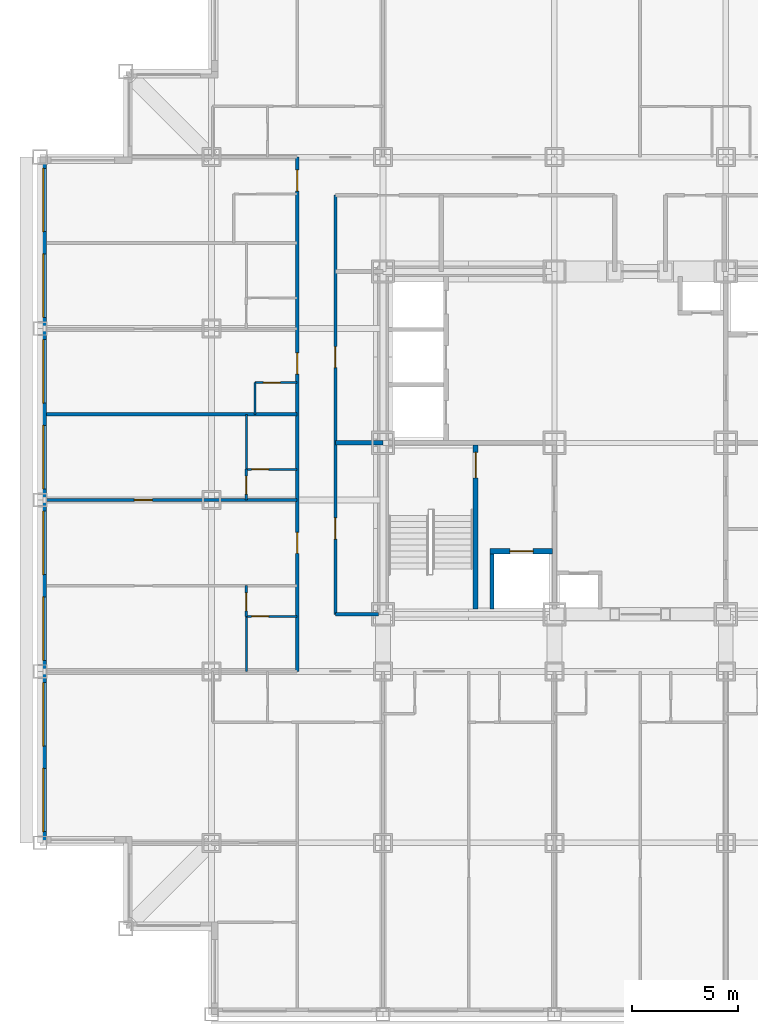
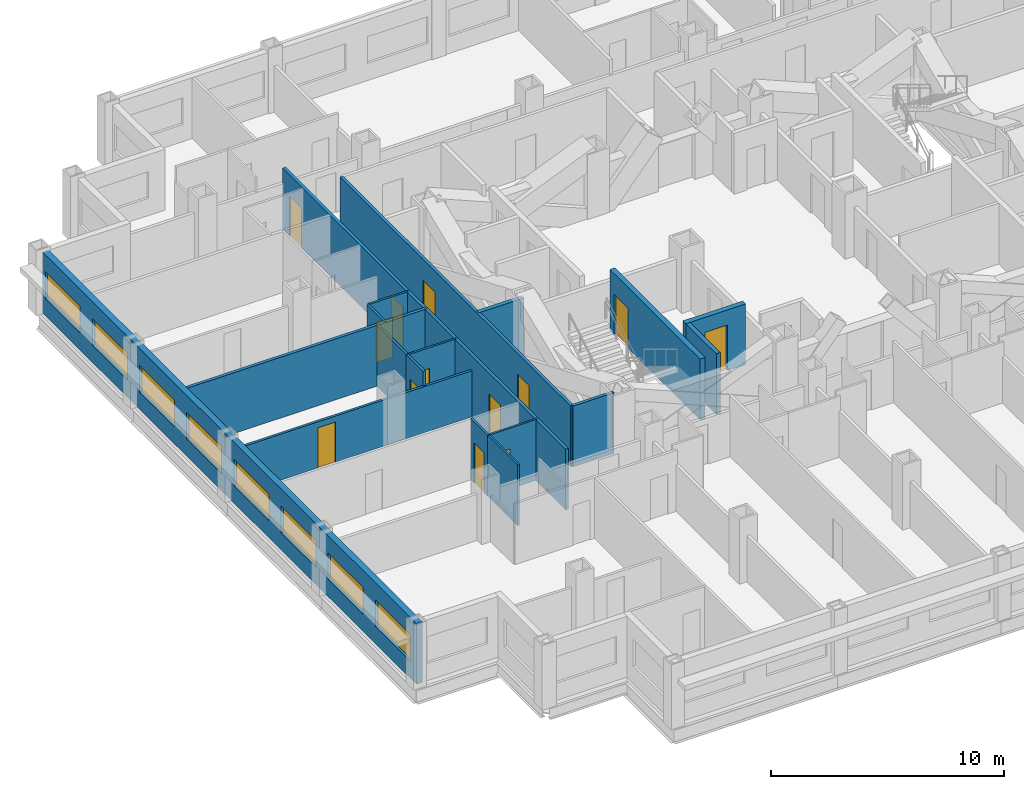
# One storey, part 5 of 12: 18 walls, 13 doors, 8 windows, 21 openings.
"""IFC4 building model written with IfcOpenShell, lengths in metres."""

import ifcopenshell
import ifcopenshell.guid

model = None  # the IFC model being written
_history = None  # IfcOwnerHistory: only IFC2X3 demands one
_inside = {}  # id of a spatial element -> (the spatial element, [elements in it])
_under = {}  # id of a project, library or spatial element -> (it, [spatial elements below it])
_declared = {}  # id of a project -> (the project, [libraries it declares])
_typed = {}  # id of a type object -> (the type object, [elements of that type])
_made_of = {}  # id of a material, layer set ... -> (it, [elements and type objects made of it])


def new_model(schema):
    """Start an empty IFC model of exactly this schema.

    Asked for "IFC4X3", IfcOpenShell would pick the latest addendum, in which some entities
    have other attributes; the version numbers below select the first issue.
    IFC2X3 requires an IfcOwnerHistory on every rooted entity: one is made here for all.
    """
    global model, _history
    if schema == "IFC4X3":
        model = ifcopenshell.file(schema_version=(4, 3, 0, 0))
    else:
        model = ifcopenshell.file(schema=schema)
    _inside.clear()
    _under.clear()
    _declared.clear()
    _typed.clear()
    _made_of.clear()
    _history = None
    if model.schema == "IFC2X3":
        org = make("IfcOrganization", Name="unknown")
        user = make(
            "IfcPersonAndOrganization",
            ThePerson=make("IfcPerson", FamilyName="unknown"),
            TheOrganization=org,
        )
        app = make(
            "IfcApplication",
            ApplicationDeveloper=org,
            Version="unknown",
            ApplicationFullName="unknown",
            ApplicationIdentifier="unknown",
        )
        _history = make(
            "IfcOwnerHistory",
            OwningUser=user,
            OwningApplication=app,
            ChangeAction="ADDED",
            CreationDate=0,
        )
    return model


def make(cls, **values):
    """One entity of the class cls with the attributes given. An attribute that is None is left unset."""
    return model.create_entity(
        cls, **{name: value for name, value in values.items() if value is not None}
    )


def rooted(cls, **values):
    """An entity with a GlobalId (a new one), such as an element, a storey or a relation."""
    return make(cls, GlobalId=ifcopenshell.guid.new(), OwnerHistory=_history, **values)


def si_unit(unit_type, name, prefix=None):
    """IfcSIUnit, for example si_unit("LENGTHUNIT", "METRE", prefix="MILLI")."""
    return make("IfcSIUnit", UnitType=unit_type, Prefix=prefix, Name=name)


def assignment(units):
    """IfcUnitAssignment: the units of a project."""
    return None if units is None else make("IfcUnitAssignment", Units=units)


def point(xyz):
    """IfcCartesianPoint."""
    return None if xyz is None else make("IfcCartesianPoint", Coordinates=xyz)


def direction(xyz):
    """IfcDirection."""
    return None if xyz is None else make("IfcDirection", DirectionRatios=xyz)


def frame(location, z_axis=None, x_axis=None):
    """IfcAxis2Placement3D, a coordinate frame: its origin and axes. An axis left out is left unset."""
    return make(
        "IfcAxis2Placement3D",
        Location=point(location),
        Axis=direction(z_axis),
        RefDirection=direction(x_axis),
    )


def frame_2d(location, x_axis=None):
    """IfcAxis2Placement2D, a coordinate frame in the plane: its origin and x axis."""
    return make(
        "IfcAxis2Placement2D", Location=point(location), RefDirection=direction(x_axis)
    )


def origin():
    """The frame at (0, 0, 0) with its axes left unset."""
    return frame((0.0, 0.0, 0.0))


def place(relative_to, where):
    """IfcLocalPlacement: puts the frame where relative to a parent placement (None: the world)."""
    return make(
        "IfcLocalPlacement", PlacementRelTo=relative_to, RelativePlacement=where
    )


def context(
    kind, dimensions, precision=None, world=None, true_north=None, identifier=None
):
    """IfcGeometricRepresentationContext, for example the 3D "Model" context."""
    return make(
        "IfcGeometricRepresentationContext",
        ContextIdentifier=identifier,
        ContextType=kind,
        CoordinateSpaceDimension=dimensions,
        Precision=precision,
        WorldCoordinateSystem=world,
        TrueNorth=true_north,
    )


def subcontext(parent, identifier, kind, view, scale=None):
    """IfcGeometricRepresentationSubContext, for example "Body" below "Model"."""
    return make(
        "IfcGeometricRepresentationSubContext",
        ContextIdentifier=identifier,
        ContextType=kind,
        ParentContext=parent,
        TargetScale=scale,
        TargetView=view,
    )


def project(units=None, contexts=None):
    """IfcProject with its units and contexts."""
    return rooted(
        "IfcProject",
        Name="project",
        RepresentationContexts=contexts,
        UnitsInContext=assignment(units),
    )


def spatial(cls, under=None, at=None, **own):
    """A site, building, storey or space (cls), placed at a placement, below another one or the project."""
    s = rooted(cls, ObjectPlacement=at, **own)
    if under is not None:
        _under.setdefault(under.id(), (under, []))[1].append(s)
    return s


def profile(cls, at=None, kind="AREA", **sizes):
    """A parametric profile (cls). Its sizes go by their IFC names, for example OverallWidth=200.0."""
    return make(cls, ProfileType=kind, Position=at, **sizes)


def rectangle(**sizes):
    """IfcRectangleProfileDef."""
    return profile("IfcRectangleProfileDef", **sizes)


def extrude(swept, where, along, depth):
    """IfcExtrudedAreaSolid: the profile swept, set in the frame where, extruded along a direction by depth."""
    return make(
        "IfcExtrudedAreaSolid",
        SweptArea=swept,
        Position=where,
        ExtrudedDirection=direction(along),
        Depth=depth,
    )


def shape(context_of_items, identifier, shape_type, items):
    """IfcShapeRepresentation: the items that make up one representation, for example the "Body"."""
    return make(
        "IfcShapeRepresentation",
        ContextOfItems=context_of_items,
        RepresentationIdentifier=identifier,
        RepresentationType=shape_type,
        Items=items,
    )


def material(Name=None, Category=None):
    """IfcMaterial."""
    return make("IfcMaterial", Name=Name, Category=Category)


def layer(
    of_material, thickness, ventilated=None, Name=None, Category=None, Priority=None
):
    """IfcMaterialLayer: one layer of a wall or slab, of a material (None: an air gap)."""
    return make(
        "IfcMaterialLayer",
        Material=of_material,
        LayerThickness=thickness,
        IsVentilated=ventilated,
        Name=Name,
        Category=Category,
        Priority=Priority,
    )


def layer_set(layers, Name=None):
    """IfcMaterialLayerSet."""
    return make("IfcMaterialLayerSet", MaterialLayers=layers, LayerSetName=Name)


def made_of(thing, what):
    """Note that an element or type object is made of a material, layer set ...; save() writes the relation."""
    if what is not None:
        _made_of.setdefault(what.id(), (what, []))[1].append(thing)
    return thing


def type_object(cls, material=None, **own):
    """A type object (cls), such as IfcWallType, which elements share."""
    return made_of(rooted(cls, **own), material)


def element(
    cls,
    number,
    at=None,
    inside=None,
    cuts=None,
    type_object=None,
    material=None,
    context=None,
    identifier="Body",
    shape_type=None,
    held_by="IfcProductDefinitionShape",
    body=None,
    shapes=None,
    **own,
):
    """One element of the class cls, such as IfcWall. Its Tag is "e" and its number.

    at: its placement. inside: the storey or other place that contains it. cuts: it is an
    opening in that element (IfcRelVoidsElement). A single representation is given by context,
    identifier, shape_type and body (its items); several are given by shapes. held_by: the class
    of the entity that holds the representations. save() writes the other relations.
    """
    e = rooted(cls, Tag="e%d" % number, ObjectPlacement=at, **own)
    if body is not None:
        shapes = [shape(context, identifier, shape_type, body)]
    if shapes is not None:
        e.Representation = make(held_by, Representations=shapes)
    if inside is not None:
        _inside.setdefault(inside.id(), (inside, []))[1].append(e)
    if cuts is not None:
        rooted(
            "IfcRelVoidsElement", RelatingBuildingElement=cuts, RelatedOpeningElement=e
        )
    if type_object is not None:
        _typed.setdefault(type_object.id(), (type_object, []))[1].append(e)
    return made_of(e, material)


def fill(opening, filler):
    """IfcRelFillsElement: the door or window that sits in an opening."""
    return rooted(
        "IfcRelFillsElement",
        RelatingOpeningElement=opening,
        RelatedBuildingElement=filler,
    )


def aggregate(whole, parts):
    """IfcRelAggregates: a whole, such as a stair, and the parts it consists of."""
    return rooted("IfcRelAggregates", RelatingObject=whole, RelatedObjects=parts)


def save(model, path):
    """Write the relations noted so far, then the file.

    IfcRelAggregates (storeys below a building ...), IfcRelContainedInSpatialStructure (elements
    in a storey), IfcRelDefinesByType, IfcRelAssociatesMaterial and IfcRelDeclares: one each for
    every whole, place, type object, material and project.
    """
    for whole, parts in _under.values():
        aggregate(whole, parts)
    for where, things in _inside.values():
        rooted(
            "IfcRelContainedInSpatialStructure",
            RelatedElements=things,
            RelatingStructure=where,
        )
    for kind, things in _typed.values():
        rooted("IfcRelDefinesByType", RelatedObjects=things, RelatingType=kind)
    for what, things in _made_of.values():
        rooted("IfcRelAssociatesMaterial", RelatedObjects=things, RelatingMaterial=what)
    for by, libraries in _declared.values():
        rooted("IfcRelDeclares", RelatingContext=by, RelatedDefinitions=libraries)
    model.write(path)


model = new_model("IFC4")

# Units and contexts
model_context = context("Model", 3, precision=1e-05, world=origin(), true_north=direction((0.0, 1.0)))
body_context = subcontext(model_context, "Body", "Model", "MODEL_VIEW")
ifc_project = project(units=[si_unit("LENGTHUNIT", "METRE"), si_unit("AREAUNIT", "SQUARE_METRE"), si_unit("VOLUMEUNIT", "CUBIC_METRE"), si_unit("PLANEANGLEUNIT", "RADIAN"), si_unit("MASSUNIT", "GRAM", prefix="KILO")], contexts=[model_context])

# Site, building, storey
site_placement = place(None, origin())
site = spatial("IfcSite", under=ifc_project, at=site_placement, CompositionType="ELEMENT")
building_placement = place(site_placement, origin())
building = spatial("IfcBuilding", under=site, at=building_placement, Name="Kopane Lantern Tower", CompositionType="ELEMENT")
storey_placement = place(building_placement, frame((0.0, 0.0, 147.60009765625)))
storey = spatial("IfcBuildingStorey", under=building, at=storey_placement, Name="L38", CompositionType="ELEMENT", Elevation=147.60009765625)

# Wall, opening, door
ifc_material_1 = material(Name="Gypsum board on steel studs", Category="steel")
ifc_layer_1 = layer(ifc_material_1, 0.1201171875)
ifc_layer_set_1 = layer_set([ifc_layer_1], Name="APARTMENT INTERNAL WALL 120")
wall_type_1 = type_object("IfcWallType", Name="APARTMENT INTERNAL WALL 120", PredefinedType="PARTITIONING", material=ifc_layer_set_1)
wall_1_placement = place(storey_placement, frame((12.14990234375, 29.699951171875, 0.0), z_axis=(0.0, 0.0, 1.0), x_axis=(-1.0, 0.0, 0.0)))
wall_1 = element("IfcWall", 1, at=wall_1_placement, inside=storey, type_object=wall_type_1, Name="Apartment Internal Wall 120 L38", PredefinedType="PARTITIONING", context=body_context, shape_type="SweptSolid", body=[
    extrude(rectangle(XDim=11.849853515625, YDim=0.1201171875, at=frame_2d((5.9248046875, 0.0))), origin(), (0.0, 0.0, 1.0), 2.420166015625),
])
opening_1_placement = place(wall_1_placement, frame((6.85009765625, 0.0, 0.0)))
opening_1 = element("IfcOpeningElement", 2, at=opening_1_placement, cuts=wall_1, Name="Opening L38-038", PredefinedType="OPENING", context=body_context, shape_type="SweptSolid", body=[
    extrude(rectangle(XDim=0.85009765625, YDim=2.10009765625, at=frame_2d((0.425048828125, 1.050048828125))), frame((0.0, 0.070068359375, 0.0), z_axis=(0.0, -1.0, 0.0), x_axis=(1.0, 0.0, 0.0)), (0.0, 0.0, 1.0), 0.14013671875),
])
ifc_material_2 = material(Name="Timber door set", Category="wood")
door_type_1 = type_object("IfcDoorType", Name="DOOR D4 850x2100", OperationType="SINGLE_SWING_LEFT", PredefinedType="DOOR", material=ifc_material_2)
door_1_placement = place(opening_1_placement, origin())
door_1 = element("IfcDoor", 3, at=door_1_placement, inside=storey, type_object=door_type_1, Name="Door L38-038", OperationType="SINGLE_SWING_RIGHT", OverallHeight=2.10009765625, OverallWidth=0.85009765625, PredefinedType="DOOR", context=body_context, shape_type="SweptSolid", body=[
    extrude(rectangle(XDim=0.85009765625, YDim=2.10009765625, at=frame_2d((0.425048828125, 1.050048828125))), frame((0.0, 0.02490234375, 0.0), z_axis=(0.0, -1.0, 0.0), x_axis=(1.0, 0.0, 0.0)), (0.0, 0.0, 1.0), 0.050048828125),
])
fill(opening_1, door_1)

wall_2_placement = place(storey_placement, frame((9.75, 24.18994140625, 0.0), z_axis=(0.0, 0.0, 1.0), x_axis=(0.0, 1.0, 0.0)))
wall_2 = element("IfcWall", 4, at=wall_2_placement, inside=storey, type_object=wall_type_1, Name="Apartment Internal Wall 120 L38", PredefinedType="PARTITIONING", context=body_context, shape_type="SweptSolid", body=[
    extrude(rectangle(XDim=1.4599609375, YDim=0.1201171875, at=frame_2d((0.72998046875, 0.0))), origin(), (0.0, 0.0, 1.0), 3.18994140625),
])
opening_2_placement = place(wall_2_placement, frame((0.27490234375, 0.0, 0.0)))
opening_2 = element("IfcOpeningElement", 5, at=opening_2_placement, cuts=wall_2, Name="Opening L38-076", PredefinedType="OPENING", context=body_context, shape_type="SweptSolid", body=[
    extrude(rectangle(XDim=0.85009765625, YDim=2.10009765625, at=frame_2d((0.425048828125, 1.050048828125))), frame((0.0, 0.070068359375, 0.0), z_axis=(0.0, -1.0, 0.0), x_axis=(1.0, 0.0, 0.0)), (0.0, 0.0, 1.0), 0.14013671875),
])
door_2_placement = place(opening_2_placement, origin())
door_2 = element("IfcDoor", 6, at=door_2_placement, inside=storey, type_object=door_type_1, Name="Door L38-076", OperationType="SINGLE_SWING_RIGHT", OverallHeight=2.10009765625, OverallWidth=0.85009765625, PredefinedType="DOOR", context=body_context, shape_type="SweptSolid", body=[
    extrude(rectangle(XDim=0.85009765625, YDim=2.10009765625, at=frame_2d((0.425048828125, 1.050048828125))), frame((0.0, 0.02490234375, 0.0), z_axis=(0.0, -1.0, 0.0), x_axis=(1.0, 0.0, 0.0)), (0.0, 0.0, 1.0), 0.050048828125),
])
fill(opening_2, door_2)

wall_3_placement = place(storey_placement, frame((9.75, 29.699951171875, 0.0), z_axis=(0.0, 0.0, 1.0), x_axis=(0.0, 1.0, 0.0)))
wall_3 = element("IfcWall", 7, at=wall_3_placement, inside=storey, type_object=wall_type_1, Name="Apartment Internal Wall 120 L38", PredefinedType="PARTITIONING", context=body_context, shape_type="SweptSolid", body=[
    extrude(rectangle(XDim=1.4599609375, YDim=0.1201171875, at=frame_2d((0.72998046875, 0.0))), origin(), (0.0, 0.0, 1.0), 3.18994140625),
])
opening_3_placement = place(wall_3_placement, frame((0.27490234375, 0.0, 0.0)))
opening_3 = element("IfcOpeningElement", 8, at=opening_3_placement, cuts=wall_3, Name="Opening L38-077", PredefinedType="OPENING", context=body_context, shape_type="SweptSolid", body=[
    extrude(rectangle(XDim=0.85009765625, YDim=2.10009765625, at=frame_2d((0.425048828125, 1.050048828125))), frame((0.0, 0.070068359375, 0.0), z_axis=(0.0, -1.0, 0.0), x_axis=(1.0, 0.0, 0.0)), (0.0, 0.0, 1.0), 0.14013671875),
])
door_3_placement = place(opening_3_placement, origin())
door_3 = element("IfcDoor", 9, at=door_3_placement, inside=storey, type_object=door_type_1, Name="Door L38-077", OperationType="SINGLE_SWING_LEFT", OverallHeight=2.10009765625, OverallWidth=0.85009765625, PredefinedType="DOOR", context=body_context, shape_type="SweptSolid", body=[
    extrude(rectangle(XDim=0.85009765625, YDim=2.10009765625, at=frame_2d((0.425048828125, 1.050048828125))), frame((0.0, 0.02490234375, 0.0), z_axis=(0.0, -1.0, 0.0), x_axis=(1.0, 0.0, 0.0)), (0.0, 0.0, 1.0), 0.050048828125),
])
fill(opening_3, door_3)

# Wall
ifc_material_3 = material(Name="Moisture-resistant board on steel studs", Category="steel")
ifc_layer_2 = layer(ifc_material_3, 0.10009765625)
ifc_layer_set_2 = layer_set([ifc_layer_2], Name="BATHROOM WALL 100")
wall_type_2 = type_object("IfcWallType", Name="BATHROOM WALL 100", PredefinedType="PARTITIONING", material=ifc_layer_set_2)
wall_4_placement = place(storey_placement, frame((9.75, 21.60009765625, 0.0), z_axis=(0.0, 0.0, 1.0), x_axis=(0.0, 1.0, 0.0)))
element("IfcWall", 10, at=wall_4_placement, inside=storey, type_object=wall_type_2, Name="Bathroom Wall 100 L38", PredefinedType="PARTITIONING", context=body_context, shape_type="SweptSolid", body=[
    extrude(rectangle(XDim=2.599853515625, YDim=0.10009765625, at=frame_2d((1.2998046875, 0.0))), origin(), (0.0, 0.0, 1.0), 3.18994140625),
])

# Wall, opening, door
wall_5_placement = place(storey_placement, frame((12.14990234375, 24.199951171875, 0.0), z_axis=(0.0, 0.0, 1.0), x_axis=(-1.0, 0.0, 0.0)))
wall_5 = element("IfcWall", 11, at=wall_5_placement, inside=storey, type_object=wall_type_2, Name="Bathroom Wall 100 L38", PredefinedType="PARTITIONING", context=body_context, shape_type="SweptSolid", body=[
    extrude(rectangle(XDim=2.39990234375, YDim=0.10009765625, at=frame_2d((1.199951171875, 0.0))), origin(), (0.0, 0.0, 1.0), 3.18994140625),
])
opening_4_placement = place(wall_5_placement, frame((1.35009765625, 0.0, 0.0)))
opening_4 = element("IfcOpeningElement", 12, at=opening_4_placement, cuts=wall_5, Name="Opening L38-035", PredefinedType="OPENING", context=body_context, shape_type="SweptSolid", body=[
    extrude(rectangle(XDim=0.800048828125, YDim=2.10009765625, at=frame_2d((0.39990234375, 1.050048828125))), frame((0.0, 0.06005859375, 0.0), z_axis=(0.0, -1.0, 0.0), x_axis=(1.0, 0.0, 0.0)), (0.0, 0.0, 1.0), 0.1201171875),
])
ifc_material_4 = material(Name="Timber door set", Category="wood")
door_type_2 = type_object("IfcDoorType", Name="DOOR D2 800x2100", OperationType="SINGLE_SWING_LEFT", PredefinedType="DOOR", material=ifc_material_4)
door_4_placement = place(opening_4_placement, origin())
door_4 = element("IfcDoor", 13, at=door_4_placement, inside=storey, type_object=door_type_2, Name="Door L38-035", OperationType="SINGLE_SWING_LEFT", OverallHeight=2.10009765625, OverallWidth=0.800048828125, PredefinedType="DOOR", context=body_context, shape_type="SweptSolid", body=[
    extrude(rectangle(XDim=0.800048828125, YDim=2.10009765625, at=frame_2d((0.39990234375, 1.050048828125))), frame((0.0, 0.02490234375, 0.0), z_axis=(0.0, -1.0, 0.0), x_axis=(1.0, 0.0, 0.0)), (0.0, 0.0, 1.0), 0.050048828125),
])
fill(opening_4, door_4)

# Wall
wall_6_placement = place(storey_placement, frame((9.75, 31.14990234375, 0.0), z_axis=(0.0, 0.0, 1.0), x_axis=(0.0, 1.0, 0.0)))
element("IfcWall", 14, at=wall_6_placement, inside=storey, type_object=wall_type_2, Name="Bathroom Wall 100 L38", PredefinedType="PARTITIONING", context=body_context, shape_type="SweptSolid", body=[
    extrude(rectangle(XDim=2.60009765625, YDim=0.10009765625, at=frame_2d((1.300048828125, 0.0))), origin(), (0.0, 0.0, 1.0), 3.18994140625),
])

# Wall, opening, door
wall_7_placement = place(storey_placement, frame((12.14990234375, 31.14990234375, 0.0), z_axis=(0.0, 0.0, 1.0), x_axis=(-1.0, 0.0, 0.0)))
wall_7 = element("IfcWall", 15, at=wall_7_placement, inside=storey, type_object=wall_type_2, Name="Bathroom Wall 100 L38", PredefinedType="PARTITIONING", context=body_context, shape_type="SweptSolid", body=[
    extrude(rectangle(XDim=2.39990234375, YDim=0.10009765625, at=frame_2d((1.199951171875, 0.0))), origin(), (0.0, 0.0, 1.0), 3.18994140625),
])
opening_5_placement = place(wall_7_placement, frame((1.35009765625, 0.0, 0.0)))
opening_5 = element("IfcOpeningElement", 16, at=opening_5_placement, cuts=wall_7, Name="Opening L38-037", PredefinedType="OPENING", context=body_context, shape_type="SweptSolid", body=[
    extrude(rectangle(XDim=0.800048828125, YDim=2.10009765625, at=frame_2d((0.39990234375, 1.050048828125))), frame((0.0, 0.06005859375, 0.0), z_axis=(0.0, -1.0, 0.0), x_axis=(1.0, 0.0, 0.0)), (0.0, 0.0, 1.0), 0.1201171875),
])
door_5_placement = place(opening_5_placement, origin())
door_5 = element("IfcDoor", 17, at=door_5_placement, inside=storey, type_object=door_type_2, Name="Door L38-037", OperationType="SINGLE_SWING_RIGHT", OverallHeight=2.10009765625, OverallWidth=0.800048828125, PredefinedType="DOOR", context=body_context, shape_type="SweptSolid", body=[
    extrude(rectangle(XDim=0.800048828125, YDim=2.10009765625, at=frame_2d((0.39990234375, 1.050048828125))), frame((0.0, 0.02490234375, 0.0), z_axis=(0.0, -1.0, 0.0), x_axis=(1.0, 0.0, 0.0)), (0.0, 0.0, 1.0), 0.050048828125),
])
fill(opening_5, door_5)

# Wall
wall_8_placement = place(storey_placement, frame((10.14990234375, 33.75, 0.0), z_axis=(0.0, 0.0, 1.0), x_axis=(0.0, 1.0, 0.0)))
element("IfcWall", 18, at=wall_8_placement, inside=storey, type_object=wall_type_2, Name="Bathroom Wall 100 L38", PredefinedType="PARTITIONING", context=body_context, shape_type="SweptSolid", body=[
    extrude(rectangle(XDim=1.5, YDim=0.10009765625, at=frame_2d((0.75, 0.0))), origin(), (0.0, 0.0, 1.0), 3.18994140625),
])

# Wall, opening, door
wall_9_placement = place(storey_placement, frame((12.14990234375, 35.25, 0.0), z_axis=(0.0, 0.0, 1.0), x_axis=(-1.0, 0.0, 0.0)))
wall_9 = element("IfcWall", 19, at=wall_9_placement, inside=storey, type_object=wall_type_2, Name="Bathroom Wall 100 L38", PredefinedType="PARTITIONING", context=body_context, shape_type="SweptSolid", body=[
    extrude(rectangle(XDim=2.0, YDim=0.10009765625, at=frame_2d((1.0, 0.0))), origin(), (0.0, 0.0, 1.0), 3.18994140625),
])
opening_6_placement = place(wall_9_placement, frame((0.800048828125, 0.0, 0.0)))
opening_6 = element("IfcOpeningElement", 20, at=opening_6_placement, cuts=wall_9, Name="Opening L38-039", PredefinedType="OPENING", context=body_context, shape_type="SweptSolid", body=[
    extrude(rectangle(XDim=0.800048828125, YDim=2.10009765625, at=frame_2d((0.39990234375, 1.050048828125))), frame((0.0, 0.06005859375, 0.0), z_axis=(0.0, -1.0, 0.0), x_axis=(1.0, 0.0, 0.0)), (0.0, 0.0, 1.0), 0.1201171875),
])
door_6_placement = place(opening_6_placement, origin())
door_6 = element("IfcDoor", 21, at=door_6_placement, inside=storey, type_object=door_type_2, Name="Door L38-039", OperationType="SINGLE_SWING_RIGHT", OverallHeight=2.10009765625, OverallWidth=0.800048828125, PredefinedType="DOOR", context=body_context, shape_type="SweptSolid", body=[
    extrude(rectangle(XDim=0.800048828125, YDim=2.10009765625, at=frame_2d((0.39990234375, 1.050048828125))), frame((0.0, 0.02490234375, 0.0), z_axis=(0.0, -1.0, 0.0), x_axis=(1.0, 0.0, 0.0)), (0.0, 0.0, 1.0), 0.050048828125),
])
fill(opening_6, door_6)

ifc_material_5 = material(Name="Gypsum shaft wall EI 120", Category="gypsum")
ifc_layer_3 = layer(ifc_material_5, 0.25)
ifc_layer_set_3 = layer_set([ifc_layer_3], Name="CORE SHAFT WALL 250 EI 120")
wall_type_3 = type_object("IfcWallType", Name="CORE SHAFT WALL 250 EI 120", PredefinedType="SOLIDWALL", material=ifc_layer_set_3)
wall_10_placement = place(storey_placement, frame((20.574951171875, 24.550048828125, 0.0), z_axis=(0.0, 0.0, 1.0), x_axis=(0.0, 1.0, 0.0)))
wall_10 = element("IfcWall", 22, at=wall_10_placement, inside=storey, type_object=wall_type_3, Name="Core shaft wall L38 XST1", PredefinedType="SOLIDWALL", context=body_context, shape_type="SweptSolid", body=[
    extrude(rectangle(XDim=7.75, YDim=0.25, at=frame_2d((3.875, 0.0))), origin(), (0.0, 0.0, 1.0), 3.18994140625),
])
opening_7_placement = place(wall_10_placement, frame((6.199951171875, 0.0, 0.0)))
opening_7 = element("IfcOpeningElement", 23, at=opening_7_placement, cuts=wall_10, Name="Opening 38.SD1", PredefinedType="OPENING", context=body_context, shape_type="SweptSolid", body=[
    extrude(rectangle(XDim=1.199951171875, YDim=2.10009765625, at=frame_2d((0.60009765625, 1.050048828125))), frame((0.0, 0.135009765625, 0.0), z_axis=(0.0, -1.0, 0.0), x_axis=(1.0, 0.0, 0.0)), (0.0, 0.0, 1.0), 0.27001953125),
])
ifc_material_6 = material(Name="Steel door set", Category="steel")
door_type_3 = type_object("IfcDoorType", Name="STAIR DOOR 1200x2100 FD60S", OperationType="SINGLE_SWING_LEFT", PredefinedType="DOOR", material=ifc_material_6)
door_7_placement = place(opening_7_placement, origin())
door_7 = element("IfcDoor", 24, at=door_7_placement, inside=storey, type_object=door_type_3, Name="Stair door ST1 L38", OperationType="SINGLE_SWING_LEFT", OverallHeight=2.10009765625, OverallWidth=1.199951171875, PredefinedType="DOOR", context=body_context, shape_type="SweptSolid", body=[
    extrude(rectangle(XDim=1.199951171875, YDim=2.10009765625, at=frame_2d((0.60009765625, 1.050048828125))), frame((0.0, 0.02490234375, 0.0), z_axis=(0.0, -1.0, 0.0), x_axis=(1.0, 0.0, 0.0)), (0.0, 0.0, 1.0), 0.050048828125),
])
fill(opening_7, door_7)

wall_11_placement = place(storey_placement, frame((21.25, 27.27490234375, 0.0), z_axis=(0.0, 0.0, 1.0), x_axis=(1.0, 0.0, 0.0)))
wall_11 = element("IfcWall", 25, at=wall_11_placement, inside=storey, type_object=wall_type_3, Name="Core shaft wall L38 YLF1", PredefinedType="SOLIDWALL", context=body_context, shape_type="SweptSolid", body=[
    extrude(rectangle(XDim=2.949951171875, YDim=0.25, at=frame_2d((1.47509765625, 0.0))), origin(), (0.0, 0.0, 1.0), 3.18994140625),
])
opening_8_placement = place(wall_11_placement, frame((0.949951171875, 0.0, 0.0)))
opening_8 = element("IfcOpeningElement", 26, at=opening_8_placement, cuts=wall_11, Name="Opening 38.LD-LF1", PredefinedType="OPENING", context=body_context, shape_type="SweptSolid", body=[
    extrude(rectangle(XDim=1.10009765625, YDim=2.39990234375, at=frame_2d((0.550048828125, 1.199951171875))), frame((0.0, 0.135009765625, 0.0), z_axis=(0.0, -1.0, 0.0), x_axis=(1.0, 0.0, 0.0)), (0.0, 0.0, 1.0), 0.27001953125),
])
ifc_material_7 = material(Name="Steel door set", Category="steel")
door_type_4 = type_object("IfcDoorType", Name="LIFT LANDING DOOR 1100x2400 FD60", OperationType="DOUBLE_DOOR_SLIDING", PredefinedType="DOOR", material=ifc_material_7)
door_8_placement = place(opening_8_placement, origin())
door_8 = element("IfcDoor", 27, at=door_8_placement, inside=storey, type_object=door_type_4, Name="Landing door LF1 L38", OperationType="DOUBLE_DOOR_SLIDING", OverallHeight=2.39990234375, OverallWidth=1.10009765625, PredefinedType="DOOR", context=body_context, shape_type="SweptSolid", body=[
    extrude(rectangle(XDim=1.10009765625, YDim=2.39990234375, at=frame_2d((0.550048828125, 1.199951171875))), frame((0.0, 0.02490234375, 0.0), z_axis=(0.0, -1.0, 0.0), x_axis=(1.0, 0.0, 0.0)), (0.0, 0.0, 1.0), 0.050048828125),
])
fill(opening_8, door_8)

# Wall, openings, doors
ifc_material_8 = material(Name="Gypsum board on steel studs", Category="steel")
ifc_layer_4 = layer(ifc_material_8, 0.14990234375)
ifc_layer_set_4 = layer_set([ifc_layer_4], Name="CORRIDOR WALL 150 EI 60")
wall_type_4 = type_object("IfcWallType", Name="CORRIDOR WALL 150 EI 60", PredefinedType="PARTITIONING", material=ifc_layer_set_4)
wall_12_placement = place(storey_placement, frame((12.14990234375, 21.60009765625, 0.0), z_axis=(0.0, 0.0, 1.0), x_axis=(0.0, 1.0, 0.0)))
wall_12 = element("IfcWall", 28, at=wall_12_placement, inside=storey, type_object=wall_type_4, Name="Corridor Wall 150 Ei 60 L38", PredefinedType="PARTITIONING", context=body_context, shape_type="SweptSolid", body=[
    extrude(rectangle(XDim=24.2998046875, YDim=0.14990234375, at=frame_2d((12.14990234375, 0.0))), origin(), (0.0, 0.0, 1.0), 3.18994140625),
])
opening_9_placement = place(wall_12_placement, frame((5.574951171875, 0.0, 0.0)))
opening_9 = element("IfcOpeningElement", 29, at=opening_9_placement, cuts=wall_12, Name="Opening L38-034", PredefinedType="OPENING", context=body_context, shape_type="SweptSolid", body=[
    extrude(rectangle(XDim=1.0, YDim=2.10009765625, at=frame_2d((0.5, 1.050048828125))), frame((0.0, 0.0849609375, 0.0), z_axis=(0.0, -1.0, 0.0), x_axis=(1.0, 0.0, 0.0)), (0.0, 0.0, 1.0), 0.169921875),
])
opening_10_placement = place(wall_12_placement, frame((14.050048828125, 0.0, 0.0)))
opening_10 = element("IfcOpeningElement", 30, at=opening_10_placement, cuts=wall_12, Name="Opening L38-040", PredefinedType="OPENING", context=body_context, shape_type="SweptSolid", body=[
    extrude(rectangle(XDim=1.0, YDim=2.10009765625, at=frame_2d((0.5, 1.050048828125))), frame((0.0, 0.0849609375, 0.0), z_axis=(0.0, -1.0, 0.0), x_axis=(1.0, 0.0, 0.0)), (0.0, 0.0, 1.0), 0.169921875),
])
opening_11_placement = place(wall_12_placement, frame((22.699951171875, 0.0, 0.0)))
opening_11 = element("IfcOpeningElement", 31, at=opening_11_placement, cuts=wall_12, Name="Opening L38-044", PredefinedType="OPENING", context=body_context, shape_type="SweptSolid", body=[
    extrude(rectangle(XDim=1.0, YDim=2.10009765625, at=frame_2d((0.5, 1.050048828125))), frame((0.0, 0.0849609375, 0.0), z_axis=(0.0, -1.0, 0.0), x_axis=(1.0, 0.0, 0.0)), (0.0, 0.0, 1.0), 0.169921875),
])
ifc_material_9 = material(Name="Steel door set", Category="steel")
door_type_5 = type_object("IfcDoorType", Name="DOOR D1 1000x2100 FD30S", OperationType="SINGLE_SWING_LEFT", PredefinedType="DOOR", material=ifc_material_9)
door_9_placement = place(opening_9_placement, origin())
door_9 = element("IfcDoor", 32, at=door_9_placement, inside=storey, type_object=door_type_5, Name="Door L38-034", OperationType="SINGLE_SWING_LEFT", OverallHeight=2.10009765625, OverallWidth=1.0, PredefinedType="DOOR", context=body_context, shape_type="SweptSolid", body=[
    extrude(rectangle(XDim=1.0, YDim=2.10009765625, at=frame_2d((0.5, 1.050048828125))), frame((0.0, 0.02490234375, 0.0), z_axis=(0.0, -1.0, 0.0), x_axis=(1.0, 0.0, 0.0)), (0.0, 0.0, 1.0), 0.050048828125),
])
fill(opening_9, door_9)
door_10_placement = place(opening_10_placement, origin())
door_10 = element("IfcDoor", 33, at=door_10_placement, inside=storey, type_object=door_type_5, Name="Door L38-040", OperationType="SINGLE_SWING_LEFT", OverallHeight=2.10009765625, OverallWidth=1.0, PredefinedType="DOOR", context=body_context, shape_type="SweptSolid", body=[
    extrude(rectangle(XDim=1.0, YDim=2.10009765625, at=frame_2d((0.5, 1.050048828125))), frame((0.0, 0.02490234375, 0.0), z_axis=(0.0, -1.0, 0.0), x_axis=(1.0, 0.0, 0.0)), (0.0, 0.0, 1.0), 0.050048828125),
])
fill(opening_10, door_10)
door_11_placement = place(opening_11_placement, origin())
door_11 = element("IfcDoor", 34, at=door_11_placement, inside=storey, type_object=door_type_5, Name="Door L38-044", OperationType="SINGLE_SWING_LEFT", OverallHeight=2.10009765625, OverallWidth=1.0, PredefinedType="DOOR", context=body_context, shape_type="SweptSolid", body=[
    extrude(rectangle(XDim=1.0, YDim=2.10009765625, at=frame_2d((0.5, 1.050048828125))), frame((0.0, 0.02490234375, 0.0), z_axis=(0.0, -1.0, 0.0), x_axis=(1.0, 0.0, 0.0)), (0.0, 0.0, 1.0), 0.050048828125),
])
fill(opening_11, door_11)

wall_13_placement = place(storey_placement, frame((13.949951171875, 44.10009765625, 0.0), z_axis=(0.0, 0.0, 1.0), x_axis=(0.0, -1.0, 0.0)))
wall_13 = element("IfcWall", 35, at=wall_13_placement, inside=storey, type_object=wall_type_4, Name="Corridor Wall 150 Ei 60 L38", PredefinedType="PARTITIONING", context=body_context, shape_type="SweptSolid", body=[
    extrude(rectangle(XDim=19.800048828125, YDim=0.14990234375, at=frame_2d((9.89990234375, 0.0))), origin(), (0.0, 0.0, 1.0), 3.18994140625),
])
opening_12_placement = place(wall_13_placement, frame((15.25, 0.0, 0.0)))
opening_12 = element("IfcOpeningElement", 36, at=opening_12_placement, cuts=wall_13, Name="Opening L38-001", PredefinedType="OPENING", context=body_context, shape_type="SweptSolid", body=[
    extrude(rectangle(XDim=1.0, YDim=2.10009765625, at=frame_2d((0.5, 1.050048828125))), frame((0.0, 0.0849609375, 0.0), z_axis=(0.0, -1.0, 0.0), x_axis=(1.0, 0.0, 0.0)), (0.0, 0.0, 1.0), 0.169921875),
])
opening_13_placement = place(wall_13_placement, frame((7.14990234375, 0.0, 0.0)))
opening_13 = element("IfcOpeningElement", 37, at=opening_13_placement, cuts=wall_13, Name="Opening L38-002", PredefinedType="OPENING", context=body_context, shape_type="SweptSolid", body=[
    extrude(rectangle(XDim=1.0, YDim=2.10009765625, at=frame_2d((0.5, 1.050048828125))), frame((0.0, 0.0849609375, 0.0), z_axis=(0.0, -1.0, 0.0), x_axis=(1.0, 0.0, 0.0)), (0.0, 0.0, 1.0), 0.169921875),
])
ifc_material_10 = material(Name="Steel door set", Category="steel")
door_type_6 = type_object("IfcDoorType", Name="DOOR D5 1000x2100 FD60", OperationType="SINGLE_SWING_LEFT", PredefinedType="DOOR", material=ifc_material_10)
door_12_placement = place(opening_12_placement, origin())
door_12 = element("IfcDoor", 38, at=door_12_placement, inside=storey, type_object=door_type_6, Name="Door L38-001", OperationType="SINGLE_SWING_RIGHT", OverallHeight=2.10009765625, OverallWidth=1.0, PredefinedType="DOOR", context=body_context, shape_type="SweptSolid", body=[
    extrude(rectangle(XDim=1.0, YDim=2.10009765625, at=frame_2d((0.5, 1.050048828125))), frame((0.0, 0.02490234375, 0.0), z_axis=(0.0, -1.0, 0.0), x_axis=(1.0, 0.0, 0.0)), (0.0, 0.0, 1.0), 0.050048828125),
])
fill(opening_12, door_12)
door_13_placement = place(opening_13_placement, origin())
door_13 = element("IfcDoor", 39, at=door_13_placement, inside=storey, type_object=door_type_6, Name="Door L38-002", OperationType="SINGLE_SWING_LEFT", OverallHeight=2.10009765625, OverallWidth=1.0, PredefinedType="DOOR", context=body_context, shape_type="SweptSolid", body=[
    extrude(rectangle(XDim=1.0, YDim=2.10009765625, at=frame_2d((0.5, 1.050048828125))), frame((0.0, 0.02490234375, 0.0), z_axis=(0.0, -1.0, 0.0), x_axis=(1.0, 0.0, 0.0)), (0.0, 0.0, 1.0), 0.050048828125),
])
fill(opening_13, door_13)

# Walls
wall_14_placement = place(storey_placement, frame((13.949951171875, 24.300048828125, 0.0), z_axis=(0.0, 0.0, 1.0), x_axis=(1.0, 0.0, 0.0)))
element("IfcWall", 40, at=wall_14_placement, inside=storey, type_object=wall_type_4, Name="Corridor Wall 150 Ei 60 L38", PredefinedType="PARTITIONING", context=body_context, shape_type="SweptSolid", body=[
    extrude(rectangle(XDim=2.050048828125, YDim=0.14990234375, at=frame_2d((1.02490234375, 0.0))), origin(), (0.0, 0.0, 1.0), 3.18994140625),
])
ifc_material_11 = material(Name="Gypsum board on steel studs", Category="steel")
ifc_layer_5 = layer(ifc_material_11, 0.14990234375)
ifc_layer_set_5 = layer_set([ifc_layer_5], Name="DEMISING WALL 150 EI 60")
wall_type_5 = type_object("IfcWallType", Name="DEMISING WALL 150 EI 60", PredefinedType="PARTITIONING", material=ifc_layer_set_5)
wall_15_placement = place(storey_placement, frame((12.14990234375, 33.75, 0.0), z_axis=(0.0, 0.0, 1.0), x_axis=(-1.0, 0.0, 0.0)))
element("IfcWall", 41, at=wall_15_placement, inside=storey, type_object=wall_type_5, Name="Demising Wall 150 Ei 60 L38", PredefinedType="PARTITIONING", context=body_context, shape_type="SweptSolid", body=[
    extrude(rectangle(XDim=11.849853515625, YDim=0.14990234375, at=frame_2d((5.9248046875, 0.0))), origin(), (0.0, 0.0, 1.0), 3.18994140625),
])

# Wall, openings, windows
ifc_material_12 = material(Name="Terracotta rainscreen on light steel framing", Category="masonry")
ifc_layer_6 = layer(ifc_material_12, 0.300048828125)
ifc_layer_set_6 = layer_set([ifc_layer_6], Name="EXTERNAL WALL EW1 300 TERRACOTTA")
wall_type_6 = type_object("IfcWallType", Name="EXTERNAL WALL EW1 300 TERRACOTTA", PredefinedType="SOLIDWALL", material=ifc_layer_set_6)
wall_16_placement = place(storey_placement, frame((0.14990234375, 45.60009765625, 0.0), z_axis=(0.0, 0.0, 1.0), x_axis=(0.0, -1.0, 0.0)))
wall_16 = element("IfcWall", 42, at=wall_16_placement, inside=storey, type_object=wall_type_6, Name="External wall W L38", PredefinedType="SOLIDWALL", context=body_context, shape_type="SweptSolid", body=[
    extrude(rectangle(XDim=32.10009765625, YDim=0.300048828125, at=frame_2d((16.050048828125, 0.0))), origin(), (0.0, 0.0, 1.0), 3.18994140625),
])
opening_14_placement = place(wall_16_placement, frame((0.22509765625, 0.0, 0.89990234375)))
opening_14 = element("IfcOpeningElement", 43, at=opening_14_placement, cuts=wall_16, Name="Opening WR300140", PredefinedType="OPENING", context=body_context, shape_type="SweptSolid", body=[
    extrude(rectangle(XDim=3.0, YDim=1.39990234375, at=frame_2d((1.5, 0.699951171875))), frame((0.0, 0.159912109375, 0.0), z_axis=(0.0, -1.0, 0.0), x_axis=(1.0, 0.0, 0.0)), (0.0, 0.0, 1.0), 0.320068359375),
])
opening_15_placement = place(wall_16_placement, frame((4.27490234375, 0.0, 0.89990234375)))
opening_15 = element("IfcOpeningElement", 44, at=opening_15_placement, cuts=wall_16, Name="Opening WR300140", PredefinedType="OPENING", context=body_context, shape_type="SweptSolid", body=[
    extrude(rectangle(XDim=3.0, YDim=1.39990234375, at=frame_2d((1.5, 0.699951171875))), frame((0.0, 0.159912109375, 0.0), z_axis=(0.0, -1.0, 0.0), x_axis=(1.0, 0.0, 0.0)), (0.0, 0.0, 1.0), 0.320068359375),
])
opening_16_placement = place(wall_16_placement, frame((8.324951171875, 0.0, 0.89990234375)))
opening_16 = element("IfcOpeningElement", 45, at=opening_16_placement, cuts=wall_16, Name="Opening WR300140", PredefinedType="OPENING", context=body_context, shape_type="SweptSolid", body=[
    extrude(rectangle(XDim=3.0, YDim=1.39990234375, at=frame_2d((1.5, 0.699951171875))), frame((0.0, 0.159912109375, 0.0), z_axis=(0.0, -1.0, 0.0), x_axis=(1.0, 0.0, 0.0)), (0.0, 0.0, 1.0), 0.320068359375),
])
opening_17_placement = place(wall_16_placement, frame((12.375, 0.0, 0.89990234375)))
opening_17 = element("IfcOpeningElement", 46, at=opening_17_placement, cuts=wall_16, Name="Opening WR300140", PredefinedType="OPENING", context=body_context, shape_type="SweptSolid", body=[
    extrude(rectangle(XDim=3.0, YDim=1.39990234375, at=frame_2d((1.5, 0.699951171875))), frame((0.0, 0.159912109375, 0.0), z_axis=(0.0, -1.0, 0.0), x_axis=(1.0, 0.0, 0.0)), (0.0, 0.0, 1.0), 0.320068359375),
])
opening_18_placement = place(wall_16_placement, frame((16.425048828125, 0.0, 0.89990234375)))
opening_18 = element("IfcOpeningElement", 47, at=opening_18_placement, cuts=wall_16, Name="Opening WR300140", PredefinedType="OPENING", context=body_context, shape_type="SweptSolid", body=[
    extrude(rectangle(XDim=3.0, YDim=1.39990234375, at=frame_2d((1.5, 0.699951171875))), frame((0.0, 0.159912109375, 0.0), z_axis=(0.0, -1.0, 0.0), x_axis=(1.0, 0.0, 0.0)), (0.0, 0.0, 1.0), 0.320068359375),
])
opening_19_placement = place(wall_16_placement, frame((20.47509765625, 0.0, 0.89990234375)))
opening_19 = element("IfcOpeningElement", 48, at=opening_19_placement, cuts=wall_16, Name="Opening WR300140", PredefinedType="OPENING", context=body_context, shape_type="SweptSolid", body=[
    extrude(rectangle(XDim=3.0, YDim=1.39990234375, at=frame_2d((1.5, 0.699951171875))), frame((0.0, 0.159912109375, 0.0), z_axis=(0.0, -1.0, 0.0), x_axis=(1.0, 0.0, 0.0)), (0.0, 0.0, 1.0), 0.320068359375),
])
opening_20_placement = place(wall_16_placement, frame((24.52490234375, 0.0, 0.89990234375)))
opening_20 = element("IfcOpeningElement", 49, at=opening_20_placement, cuts=wall_16, Name="Opening WR300140", PredefinedType="OPENING", context=body_context, shape_type="SweptSolid", body=[
    extrude(rectangle(XDim=3.0, YDim=1.39990234375, at=frame_2d((1.5, 0.699951171875))), frame((0.0, 0.159912109375, 0.0), z_axis=(0.0, -1.0, 0.0), x_axis=(1.0, 0.0, 0.0)), (0.0, 0.0, 1.0), 0.320068359375),
])
opening_21_placement = place(wall_16_placement, frame((28.574951171875, 0.0, 0.89990234375)))
opening_21 = element("IfcOpeningElement", 50, at=opening_21_placement, cuts=wall_16, Name="Opening WR300140", PredefinedType="OPENING", context=body_context, shape_type="SweptSolid", body=[
    extrude(rectangle(XDim=3.0, YDim=1.39990234375, at=frame_2d((1.5, 0.699951171875))), frame((0.0, 0.159912109375, 0.0), z_axis=(0.0, -1.0, 0.0), x_axis=(1.0, 0.0, 0.0)), (0.0, 0.0, 1.0), 0.320068359375),
])
ifc_material_13 = material(Name="Aluminium and clear glass", Category="aluminium")
window_type = type_object("IfcWindowType", Name="RIBBON WINDOW WR300140 3000x1400", PartitioningType="SINGLE_PANEL", PredefinedType="WINDOW", material=ifc_material_13)
window_1_placement = place(opening_14_placement, origin())
window_1 = element("IfcWindow", 51, at=window_1_placement, inside=storey, type_object=window_type, Name="Window W L38", OverallHeight=1.39990234375, OverallWidth=3.0, PartitioningType="SINGLE_PANEL", PredefinedType="WINDOW", context=body_context, shape_type="SweptSolid", body=[
    extrude(rectangle(XDim=3.0, YDim=1.39990234375, at=frame_2d((1.5, 0.699951171875))), frame((0.0, 0.030029296875, 0.0), z_axis=(0.0, -1.0, 0.0), x_axis=(1.0, 0.0, 0.0)), (0.0, 0.0, 1.0), 0.06005859375),
])
fill(opening_14, window_1)
window_2_placement = place(opening_15_placement, origin())
window_2 = element("IfcWindow", 52, at=window_2_placement, inside=storey, type_object=window_type, Name="Window W L38", OverallHeight=1.39990234375, OverallWidth=3.0, PartitioningType="SINGLE_PANEL", PredefinedType="WINDOW", context=body_context, shape_type="SweptSolid", body=[
    extrude(rectangle(XDim=3.0, YDim=1.39990234375, at=frame_2d((1.5, 0.699951171875))), frame((0.0, 0.030029296875, 0.0), z_axis=(0.0, -1.0, 0.0), x_axis=(1.0, 0.0, 0.0)), (0.0, 0.0, 1.0), 0.06005859375),
])
fill(opening_15, window_2)
window_3_placement = place(opening_16_placement, origin())
window_3 = element("IfcWindow", 53, at=window_3_placement, inside=storey, type_object=window_type, Name="Window W L38", OverallHeight=1.39990234375, OverallWidth=3.0, PartitioningType="SINGLE_PANEL", PredefinedType="WINDOW", context=body_context, shape_type="SweptSolid", body=[
    extrude(rectangle(XDim=3.0, YDim=1.39990234375, at=frame_2d((1.5, 0.699951171875))), frame((0.0, 0.030029296875, 0.0), z_axis=(0.0, -1.0, 0.0), x_axis=(1.0, 0.0, 0.0)), (0.0, 0.0, 1.0), 0.06005859375),
])
fill(opening_16, window_3)
window_4_placement = place(opening_17_placement, origin())
window_4 = element("IfcWindow", 54, at=window_4_placement, inside=storey, type_object=window_type, Name="Window W L38", OverallHeight=1.39990234375, OverallWidth=3.0, PartitioningType="SINGLE_PANEL", PredefinedType="WINDOW", context=body_context, shape_type="SweptSolid", body=[
    extrude(rectangle(XDim=3.0, YDim=1.39990234375, at=frame_2d((1.5, 0.699951171875))), frame((0.0, 0.030029296875, 0.0), z_axis=(0.0, -1.0, 0.0), x_axis=(1.0, 0.0, 0.0)), (0.0, 0.0, 1.0), 0.06005859375),
])
fill(opening_17, window_4)
window_5_placement = place(opening_18_placement, origin())
window_5 = element("IfcWindow", 55, at=window_5_placement, inside=storey, type_object=window_type, Name="Window W L38", OverallHeight=1.39990234375, OverallWidth=3.0, PartitioningType="SINGLE_PANEL", PredefinedType="WINDOW", context=body_context, shape_type="SweptSolid", body=[
    extrude(rectangle(XDim=3.0, YDim=1.39990234375, at=frame_2d((1.5, 0.699951171875))), frame((0.0, 0.030029296875, 0.0), z_axis=(0.0, -1.0, 0.0), x_axis=(1.0, 0.0, 0.0)), (0.0, 0.0, 1.0), 0.06005859375),
])
fill(opening_18, window_5)
window_6_placement = place(opening_19_placement, origin())
window_6 = element("IfcWindow", 56, at=window_6_placement, inside=storey, type_object=window_type, Name="Window W L38", OverallHeight=1.39990234375, OverallWidth=3.0, PartitioningType="SINGLE_PANEL", PredefinedType="WINDOW", context=body_context, shape_type="SweptSolid", body=[
    extrude(rectangle(XDim=3.0, YDim=1.39990234375, at=frame_2d((1.5, 0.699951171875))), frame((0.0, 0.030029296875, 0.0), z_axis=(0.0, -1.0, 0.0), x_axis=(1.0, 0.0, 0.0)), (0.0, 0.0, 1.0), 0.06005859375),
])
fill(opening_19, window_6)
window_7_placement = place(opening_20_placement, origin())
window_7 = element("IfcWindow", 57, at=window_7_placement, inside=storey, type_object=window_type, Name="Window W L38", OverallHeight=1.39990234375, OverallWidth=3.0, PartitioningType="SINGLE_PANEL", PredefinedType="WINDOW", context=body_context, shape_type="SweptSolid", body=[
    extrude(rectangle(XDim=3.0, YDim=1.39990234375, at=frame_2d((1.5, 0.699951171875))), frame((0.0, 0.030029296875, 0.0), z_axis=(0.0, -1.0, 0.0), x_axis=(1.0, 0.0, 0.0)), (0.0, 0.0, 1.0), 0.06005859375),
])
fill(opening_20, window_7)
window_8_placement = place(opening_21_placement, origin())
window_8 = element("IfcWindow", 58, at=window_8_placement, inside=storey, type_object=window_type, Name="Window W L38", OverallHeight=1.39990234375, OverallWidth=3.0, PartitioningType="SINGLE_PANEL", PredefinedType="WINDOW", context=body_context, shape_type="SweptSolid", body=[
    extrude(rectangle(XDim=3.0, YDim=1.39990234375, at=frame_2d((1.5, 0.699951171875))), frame((0.0, 0.030029296875, 0.0), z_axis=(0.0, -1.0, 0.0), x_axis=(1.0, 0.0, 0.0)), (0.0, 0.0, 1.0), 0.06005859375),
])
fill(opening_21, window_8)

# Walls
ifc_material_14 = material(Name="Concrete masonry", Category="masonry")
ifc_layer_7 = layer(ifc_material_14, 0.199951171875)
ifc_layer_set_7 = layer_set([ifc_layer_7], Name="PLANT ROOM WALL 200 EI 120")
wall_type_7 = type_object("IfcWallType", Name="PLANT ROOM WALL 200 EI 120", PredefinedType="SOLIDWALL", material=ifc_layer_set_7)
wall_17_placement = place(storey_placement, frame((13.949951171875, 32.39990234375, 0.0), z_axis=(0.0, 0.0, 1.0), x_axis=(1.0, 0.0, 0.0)))
element("IfcWall", 59, at=wall_17_placement, inside=storey, type_object=wall_type_7, Name="Plant Room Wall 200 Ei 120 L38", PredefinedType="SOLIDWALL", context=body_context, shape_type="SweptSolid", body=[
    extrude(rectangle(XDim=2.25, YDim=0.199951171875, at=frame_2d((1.125, 0.0))), origin(), (0.0, 0.0, 1.0), 3.18994140625),
])
ifc_material_15 = material(Name="Gypsum shaft wall EI 120", Category="gypsum")
ifc_layer_8 = layer(ifc_material_15, 0.199951171875)
ifc_layer_set_8 = layer_set([ifc_layer_8], Name="SHAFT WALL 200 EI 120")
wall_type_8 = type_object("IfcWallType", Name="SHAFT WALL 200 EI 120", PredefinedType="SOLIDWALL", material=ifc_layer_set_8)
wall_18_placement = place(storey_placement, frame((21.35009765625, 24.550048828125, 0.0), z_axis=(0.0, 0.0, 1.0), x_axis=(0.0, 1.0, 0.0)))
element("IfcWall", 60, at=wall_18_placement, inside=storey, type_object=wall_type_8, Name="Core shaft wall L38 XLF1", PredefinedType="SOLIDWALL", context=body_context, shape_type="SweptSolid", body=[
    extrude(rectangle(XDim=2.599853515625, YDim=0.199951171875, at=frame_2d((1.2998046875, 0.0))), origin(), (0.0, 0.0, 1.0), 3.18994140625),
])

save(model, "model.ifc")
